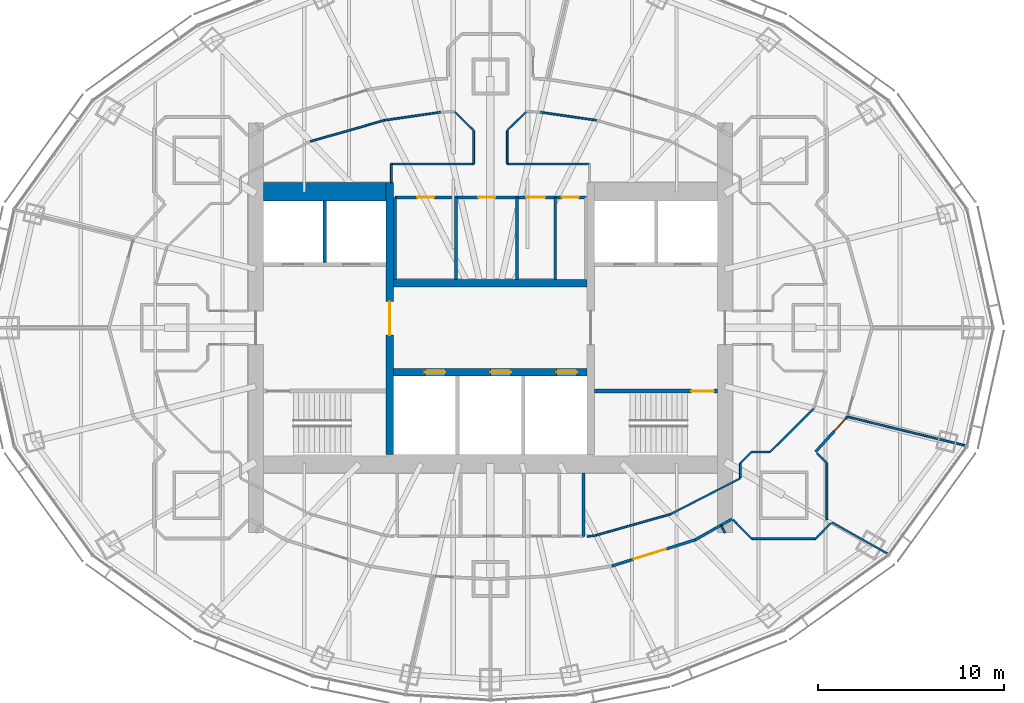
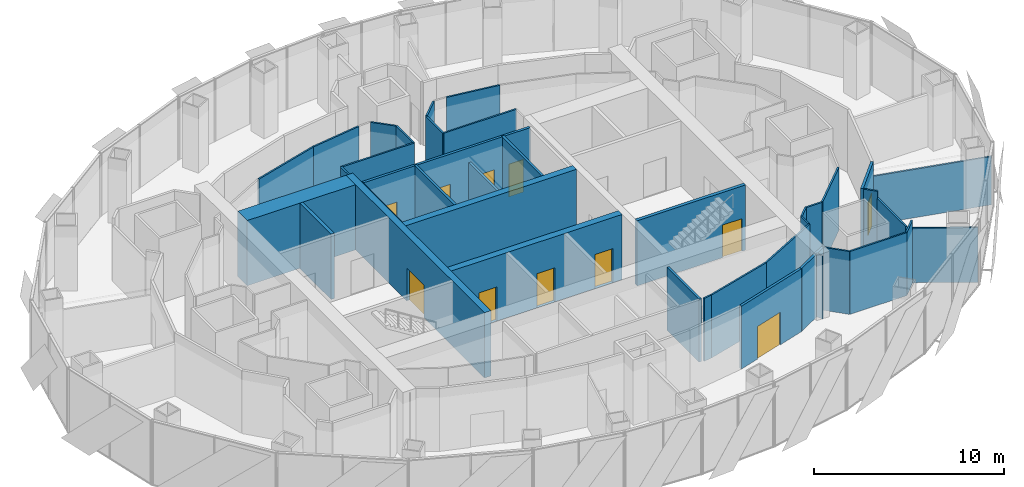
# One storey, part 13 of 18: 40 walls, 11 doors, 11 openings.
"""IFC4 building model written with IfcOpenShell, lengths in metres."""

from ifc_helpers import new_model, si_unit, direction, frame, frame_2d, origin, place, context, subcontext, project, spatial, rectangle, extrude, material, layer, layer_set, type_object, element, fill, save


model = new_model("IFC4")

# Units and contexts
model_context = context("Model", 3, precision=1e-05, world=origin(), true_north=direction((0.0, 1.0)))
body_context = subcontext(model_context, "Body", "Model", "MODEL_VIEW")
ifc_project = project(units=[si_unit("LENGTHUNIT", "METRE"), si_unit("AREAUNIT", "SQUARE_METRE"), si_unit("VOLUMEUNIT", "CUBIC_METRE"), si_unit("PLANEANGLEUNIT", "RADIAN"), si_unit("MASSUNIT", "GRAM", prefix="KILO")], contexts=[model_context])

# Site, building, storey
site_placement = place(None, origin())
site = spatial("IfcSite", under=ifc_project, at=site_placement, CompositionType="ELEMENT")
building_placement = place(site_placement, origin())
building = spatial("IfcBuilding", under=site, at=building_placement, Name="Lantaw Convention Tower", CompositionType="ELEMENT")
storey_placement = place(building_placement, frame((0.0, 0.0, 257.800048828125)))
storey = spatial("IfcBuildingStorey", under=building, at=storey_placement, Name="L60", CompositionType="ELEMENT", Elevation=257.800048828125)

# Wall
ifc_material_1 = material(Name="Concrete C60/75", Category="concrete")
ifc_layer_1 = layer(ifc_material_1, 1.0)
ifc_layer_set_1 = layer_set([ifc_layer_1], Name="Core wall 1000")
wall_type_1 = type_object("IfcWallType", Name="Core wall 1000", PredefinedType="SHEAR", material=ifc_layer_set_1)
wall_1_placement = place(storey_placement, frame((-5.60009765625, 7.300048828125, 0.0), z_axis=(0.0, 0.0, 1.0), x_axis=(-1.0, 0.0, 0.0)))
element("IfcWall", 1, at=wall_1_placement, inside=storey, type_object=wall_type_1, Name="Core wall NW", PredefinedType="SHEAR", context=body_context, shape_type="SweptSolid", body=[
    extrude(rectangle(XDim=6.599853515625, YDim=1.0, at=frame_2d((3.2998046875, 0.0))), origin(), (0.0, 0.0, 1.0), 4.199951171875),
])

# Wall, opening, door
ifc_layer_2 = layer(ifc_material_1, 0.199951171875)
ifc_layer_set_2 = layer_set([ifc_layer_2], Name="Core wall 200")
wall_type_2 = type_object("IfcWallType", Name="Core wall 200", PredefinedType="SHEAR", material=ifc_layer_set_2)
wall_2_placement = place(storey_placement, frame((5.60009765625, -3.39990234375, 0.0), z_axis=(0.0, 0.0, 1.0), x_axis=(1.0, 0.0, 0.0)))
wall_2 = element("IfcWall", 2, at=wall_2_placement, inside=storey, type_object=wall_type_2, Name="Core wall ES", PredefinedType="SHEAR", context=body_context, shape_type="SweptSolid", body=[
    extrude(rectangle(XDim=6.599853515625, YDim=0.199951171875, at=frame_2d((3.2998046875, 0.0))), origin(), (0.0, 0.0, 1.0), 4.199951171875),
])
opening_1_placement = place(wall_2_placement, frame((5.199951171875, 0.0, 0.0)))
opening_1 = element("IfcOpeningElement", 3, at=opening_1_placement, cuts=wall_2, Name="Opening L60.03", PredefinedType="OPENING", context=body_context, shape_type="SweptSolid", body=[
    extrude(rectangle(XDim=1.199951171875, YDim=2.10009765625, at=frame_2d((0.60009765625, 1.050048828125))), frame((0.0, 0.10986328125, 0.0), z_axis=(0.0, -1.0, 0.0), x_axis=(1.0, 0.0, 0.0)), (0.0, 0.0, 1.0), 0.219970703125),
])
ifc_material_2 = material(Name="Steel, fire rated", Category="steel")
door_type_1 = type_object("IfcDoorType", Name="Stair door FD90", OperationType="SINGLE_SWING_RIGHT", PredefinedType="DOOR", material=ifc_material_2)
door_1_placement = place(opening_1_placement, origin())
door_1 = element("IfcDoor", 4, at=door_1_placement, inside=storey, type_object=door_type_1, Name="Exit stair door", OperationType="SINGLE_SWING_RIGHT", OverallHeight=2.10009765625, OverallWidth=1.199951171875, PredefinedType="DOOR", context=body_context, shape_type="SweptSolid", body=[
    extrude(rectangle(XDim=1.199951171875, YDim=2.10009765625, at=frame_2d((0.60009765625, 1.050048828125))), frame((0.0, 0.02490234375, 0.0), z_axis=(0.0, -1.0, 0.0), x_axis=(1.0, 0.0, 0.0)), (0.0, 0.0, 1.0), 0.050048828125),
])
fill(opening_1, door_1)

ifc_layer_3 = layer(ifc_material_1, 0.39990234375)
ifc_layer_set_3 = layer_set([ifc_layer_3], Name="Core wall 400")
wall_type_3 = type_object("IfcWallType", Name="Core wall 400", PredefinedType="SHEAR", material=ifc_layer_set_3)
wall_3_placement = place(storey_placement, frame((-5.39990234375, 7.800048828125, 0.0), z_axis=(0.0, 0.0, 1.0), x_axis=(0.0, -1.0, 0.0)))
wall_3 = element("IfcWall", 5, at=wall_3_placement, inside=storey, type_object=wall_type_3, Name="Core wall XW", PredefinedType="SHEAR", context=body_context, shape_type="SweptSolid", body=[
    extrude(rectangle(XDim=14.60009765625, YDim=0.39990234375, at=frame_2d((7.300048828125, 0.0))), origin(), (0.0, 0.0, 1.0), 4.199951171875),
])
opening_2_placement = place(wall_3_placement, frame((6.39990234375, 0.0, 0.0)))
opening_2 = element("IfcOpeningElement", 6, at=opening_2_placement, cuts=wall_3, Name="Opening L60.02", PredefinedType="OPENING", context=body_context, shape_type="SweptSolid", body=[
    extrude(rectangle(XDim=1.800048828125, YDim=2.10009765625, at=frame_2d((0.89990234375, 1.050048828125))), frame((0.0, 0.2099609375, 0.0), z_axis=(0.0, -1.0, 0.0), x_axis=(1.0, 0.0, 0.0)), (0.0, 0.0, 1.0), 0.419921875),
])
door_type_2 = type_object("IfcDoorType", Name="Lobby double door FD90", OperationType="DOUBLE_DOOR_DOUBLE_SWING", PredefinedType="DOOR", material=ifc_material_2)
door_2_placement = place(opening_2_placement, origin())
door_2 = element("IfcDoor", 7, at=door_2_placement, inside=storey, type_object=door_type_2, Name="Lift lobby door", OperationType="DOUBLE_DOOR_DOUBLE_SWING", OverallHeight=2.10009765625, OverallWidth=1.800048828125, PredefinedType="DOOR", context=body_context, shape_type="SweptSolid", body=[
    extrude(rectangle(XDim=1.800048828125, YDim=2.10009765625, at=frame_2d((0.89990234375, 1.050048828125))), frame((0.0, 0.02490234375, 0.0), z_axis=(0.0, -1.0, 0.0), x_axis=(1.0, 0.0, 0.0)), (0.0, 0.0, 1.0), 0.050048828125),
])
fill(opening_2, door_2)

# Wall, openings, doors
wall_4_placement = place(storey_placement, frame((-5.199951171875, -2.39990234375, 0.0), z_axis=(0.0, 0.0, 1.0), x_axis=(1.0, 0.0, 0.0)))
wall_4 = element("IfcWall", 8, at=wall_4_placement, inside=storey, type_object=wall_type_3, Name="Core wall BS", PredefinedType="SHEAR", context=body_context, shape_type="SweptSolid", body=[
    extrude(rectangle(XDim=10.39990234375, YDim=0.39990234375, at=frame_2d((5.199951171875, 0.0))), origin(), (0.0, 0.0, 1.0), 4.199951171875),
])
opening_3_placement = place(wall_4_placement, frame((1.683349609375, 0.0, 0.0)))
opening_3 = element("IfcOpeningElement", 9, at=opening_3_placement, cuts=wall_4, Name="Opening L60.07", PredefinedType="OPENING", context=body_context, shape_type="SweptSolid", body=[
    extrude(rectangle(XDim=1.10009765625, YDim=2.199951171875, at=frame_2d((0.550048828125, 1.10009765625))), frame((0.0, 0.2099609375, 0.0), z_axis=(0.0, -1.0, 0.0), x_axis=(1.0, 0.0, 0.0)), (0.0, 0.0, 1.0), 0.419921875),
])
opening_4_placement = place(wall_4_placement, frame((5.216796875, 0.0, 0.0)))
opening_4 = element("IfcOpeningElement", 10, at=opening_4_placement, cuts=wall_4, Name="Opening L60.08", PredefinedType="OPENING", context=body_context, shape_type="SweptSolid", body=[
    extrude(rectangle(XDim=1.10009765625, YDim=2.199951171875, at=frame_2d((0.550048828125, 1.10009765625))), frame((0.0, 0.2099609375, 0.0), z_axis=(0.0, -1.0, 0.0), x_axis=(1.0, 0.0, 0.0)), (0.0, 0.0, 1.0), 0.419921875),
])
opening_5_placement = place(wall_4_placement, frame((8.75, 0.0, 0.0)))
opening_5 = element("IfcOpeningElement", 11, at=opening_5_placement, cuts=wall_4, Name="Opening L60.09", PredefinedType="OPENING", context=body_context, shape_type="SweptSolid", body=[
    extrude(rectangle(XDim=1.10009765625, YDim=2.199951171875, at=frame_2d((0.550048828125, 1.10009765625))), frame((0.0, 0.2099609375, 0.0), z_axis=(0.0, -1.0, 0.0), x_axis=(1.0, 0.0, 0.0)), (0.0, 0.0, 1.0), 0.419921875),
])
ifc_material_3 = material(Name="Stainless steel", Category="steel")
door_type_3 = type_object("IfcDoorType", Name="Lift landing door 1100", OperationType="DOUBLE_DOOR_SLIDING", PredefinedType="DOOR", material=ifc_material_3)
door_3_placement = place(opening_3_placement, origin())
door_3 = element("IfcDoor", 12, at=door_3_placement, inside=storey, type_object=door_type_3, Name="Lift landing door S1", OperationType="DOUBLE_DOOR_SLIDING", OverallHeight=2.199951171875, OverallWidth=1.10009765625, PredefinedType="DOOR", context=body_context, shape_type="SweptSolid", body=[
    extrude(rectangle(XDim=1.10009765625, YDim=2.199951171875, at=frame_2d((0.550048828125, 1.10009765625))), frame((0.0, 0.02490234375, 0.0), z_axis=(0.0, -1.0, 0.0), x_axis=(1.0, 0.0, 0.0)), (0.0, 0.0, 1.0), 0.050048828125),
])
fill(opening_3, door_3)
door_4_placement = place(opening_4_placement, origin())
door_4 = element("IfcDoor", 13, at=door_4_placement, inside=storey, type_object=door_type_3, Name="Lift landing door S2", OperationType="DOUBLE_DOOR_SLIDING", OverallHeight=2.199951171875, OverallWidth=1.10009765625, PredefinedType="DOOR", context=body_context, shape_type="SweptSolid", body=[
    extrude(rectangle(XDim=1.10009765625, YDim=2.199951171875, at=frame_2d((0.550048828125, 1.10009765625))), frame((0.0, 0.02490234375, 0.0), z_axis=(0.0, -1.0, 0.0), x_axis=(1.0, 0.0, 0.0)), (0.0, 0.0, 1.0), 0.050048828125),
])
fill(opening_4, door_4)
door_5_placement = place(opening_5_placement, origin())
door_5 = element("IfcDoor", 14, at=door_5_placement, inside=storey, type_object=door_type_3, Name="Lift landing door S3", OperationType="DOUBLE_DOOR_SLIDING", OverallHeight=2.199951171875, OverallWidth=1.10009765625, PredefinedType="DOOR", context=body_context, shape_type="SweptSolid", body=[
    extrude(rectangle(XDim=1.10009765625, YDim=2.199951171875, at=frame_2d((0.550048828125, 1.10009765625))), frame((0.0, 0.02490234375, 0.0), z_axis=(0.0, -1.0, 0.0), x_axis=(1.0, 0.0, 0.0)), (0.0, 0.0, 1.0), 0.050048828125),
])
fill(opening_5, door_5)

# Wall
wall_5_placement = place(storey_placement, frame((5.199951171875, 2.39990234375, 0.0), z_axis=(0.0, 0.0, 1.0), x_axis=(-1.0, 0.0, 0.0)))
element("IfcWall", 15, at=wall_5_placement, inside=storey, type_object=wall_type_3, Name="Core wall BN", PredefinedType="SHEAR", context=body_context, shape_type="SweptSolid", body=[
    extrude(rectangle(XDim=10.39990234375, YDim=0.39990234375, at=frame_2d((5.199951171875, 0.0))), origin(), (0.0, 0.0, 1.0), 4.199951171875),
])

# Wall, opening, door
ifc_material_4 = material(Name="Gypsum board on steel studs, fire rated", Category="steel")
ifc_layer_4 = layer(ifc_material_4, 0.14990234375)
ifc_layer_set_4 = layer_set([ifc_layer_4], Name="Corridor wall 150 EI 60")
wall_type_4 = type_object("IfcWallType", Name="Corridor wall 150 EI 60", PredefinedType="PARTITIONING", material=ifc_layer_set_4)
wall_6_placement = place(storey_placement, frame((6.521240234375, -12.798828125, 0.0), z_axis=(0.0, 0.0, 1.0), x_axis=(0.954031103669, 0.299707612903, 0.0)))
wall_6 = element("IfcWall", 16, at=wall_6_placement, inside=storey, type_object=wall_type_4, Name="Corridor wall 150", PredefinedType="PARTITIONING", context=body_context, shape_type="SweptSolid", body=[
    extrude(rectangle(XDim=4.6953125, YDim=0.14990234375, at=frame_2d((2.34765625, 0.0))), origin(), (0.0, 0.0, 1.0), 4.050048828125),
])
opening_6_placement = place(wall_6_placement, frame((1.2314453125, 0.0, 0.0)))
opening_6 = element("IfcOpeningElement", 17, at=opening_6_placement, cuts=wall_6, Name="Opening L60.32", PredefinedType="OPENING", context=body_context, shape_type="SweptSolid", body=[
    extrude(rectangle(XDim=1.800048828125, YDim=2.10009765625, at=frame_2d((0.89990234375, 1.050048828125))), frame((0.0, 0.0849609375, 0.0), z_axis=(0.0, -1.0, 0.0), x_axis=(1.0, 0.0, 0.0)), (0.0, 0.0, 1.0), 0.169921875),
])
door_type_4 = type_object("IfcDoorType", Name="Office double door 1800 FD30", OperationType="DOUBLE_DOOR_DOUBLE_SWING", PredefinedType="DOOR", material=ifc_material_2)
door_6_placement = place(opening_6_placement, origin())
door_6 = element("IfcDoor", 18, at=door_6_placement, inside=storey, type_object=door_type_4, Name="Tenant suite door", OperationType="DOUBLE_DOOR_DOUBLE_SWING", OverallHeight=2.10009765625, OverallWidth=1.800048828125, PredefinedType="DOOR", context=body_context, shape_type="SweptSolid", body=[
    extrude(rectangle(XDim=1.800048828125, YDim=2.10009765625, at=frame_2d((0.89990234375, 1.050048828125))), frame((0.0, 0.02490234375, 0.0), z_axis=(0.0, -1.0, 0.0), x_axis=(1.0, 0.0, 0.0)), (0.0, 0.0, 1.0), 0.050048828125),
])
fill(opening_6, door_6)

# Wall
wall_7_placement = place(storey_placement, frame((11.000732421875, -11.3916015625, 0.0), z_axis=(0.0, 0.0, 1.0), x_axis=(0.869722107117, 0.493541747366, 0.0)))
element("IfcWall", 19, at=wall_7_placement, inside=storey, type_object=wall_type_4, Name="Corridor wall 150", PredefinedType="PARTITIONING", context=body_context, shape_type="SweptSolid", body=[
    extrude(rectangle(XDim=2.26953125, YDim=0.14990234375, at=frame_2d((1.134765625, 0.0))), origin(), (0.0, 0.0, 1.0), 4.050048828125),
])

# Wall, opening, door
wall_8_placement = place(storey_placement, frame((17.462646484375, -6.6650390625, 0.0), z_axis=(0.0, 0.0, 1.0), x_axis=(0.671721890643, 0.74080341632, 0.0)))
wall_8 = element("IfcWall", 20, at=wall_8_placement, inside=storey, type_object=wall_type_4, Name="Corridor wall 150", PredefinedType="PARTITIONING", context=body_context, shape_type="SweptSolid", body=[
    extrude(rectangle(XDim=2.54443359375, YDim=0.14990234375, at=frame_2d((1.272216796875, 0.0))), origin(), (0.0, 0.0, 1.0), 4.050048828125),
])
opening_7_placement = place(wall_8_placement, frame((1.5, 0.0, 0.0)))
opening_7 = element("IfcOpeningElement", 21, at=opening_7_placement, cuts=wall_8, Name="Opening L60.33", PredefinedType="OPENING", context=body_context, shape_type="SweptSolid", body=[
    extrude(rectangle(XDim=0.89990234375, YDim=2.10009765625, at=frame_2d((0.449951171875, 1.050048828125))), frame((0.0, 0.0849609375, 0.0), z_axis=(0.0, -1.0, 0.0), x_axis=(1.0, 0.0, 0.0)), (0.0, 0.0, 1.0), 0.169921875),
])
door_type_5 = type_object("IfcDoorType", Name="Office door 900 FD30", OperationType="SINGLE_SWING_LEFT", PredefinedType="DOOR", material=ifc_material_2)
door_7_placement = place(opening_7_placement, origin())
door_7 = element("IfcDoor", 22, at=door_7_placement, inside=storey, type_object=door_type_5, Name="Meeting room door", OperationType="SINGLE_SWING_LEFT", OverallHeight=2.10009765625, OverallWidth=0.89990234375, PredefinedType="DOOR", context=body_context, shape_type="SweptSolid", body=[
    extrude(rectangle(XDim=0.89990234375, YDim=2.10009765625, at=frame_2d((0.449951171875, 1.050048828125))), frame((0.0, 0.02490234375, 0.0), z_axis=(0.0, -1.0, 0.0), x_axis=(1.0, 0.0, 0.0)), (0.0, 0.0, 1.0), 0.050048828125),
])
fill(opening_7, door_7)

# Walls
ifc_material_5 = material(Name="Gypsum board on steel studs, acoustic", Category="steel")
ifc_layer_5 = layer(ifc_material_5, 0.10009765625)
ifc_layer_set_5 = layer_set([ifc_layer_5], Name="Office partition 100")
wall_type_5 = type_object("IfcWallType", Name="Office partition 100", PredefinedType="PARTITIONING", material=ifc_layer_set_5)
wall_9_placement = place(storey_placement, frame((25.54296875, -6.33544921875, 0.0), z_axis=(0.0, 0.0, 1.0), x_axis=(-0.971467850621, 0.237171278215, 0.0)))
element("IfcWall", 23, at=wall_9_placement, inside=storey, type_object=wall_type_5, Name="Office partition 100", PredefinedType="PARTITIONING", context=body_context, shape_type="SweptSolid", body=[
    extrude(rectangle(XDim=6.55810546875, YDim=0.10009765625, at=frame_2d((3.279052734375, 0.0))), origin(), (0.0, 0.0, 1.0), 3.107666015625),
])
wall_10_placement = place(storey_placement, frame((9.67041015625, -10.01416015625, 0.0), z_axis=(0.0, 0.0, 1.0), x_axis=(-0.961973498971, -0.273142796496, 0.0)))
element("IfcWall", 24, at=wall_10_placement, inside=storey, type_object=wall_type_5, Name="Office partition 100", PredefinedType="PARTITIONING", context=body_context, shape_type="SweptSolid", body=[
    extrude(rectangle(XDim=4.148193359375, YDim=0.10009765625, at=frame_2d((2.07421875, 0.0))), origin(), (0.0, 0.0, 1.0), 4.050048828125),
])
wall_11_placement = place(storey_placement, frame((5.679931640625, -11.147216796875, 0.0), z_axis=(0.0, 0.0, 1.0), x_axis=(-0.989797891768, -0.142478536811, 0.0)))
element("IfcWall", 25, at=wall_11_placement, inside=storey, type_object=wall_type_5, Name="Office partition 100", PredefinedType="PARTITIONING", context=body_context, shape_type="SweptSolid", body=[
    extrude(rectangle(XDim=0.48486328125, YDim=0.10009765625, at=frame_2d((0.242431640625, 0.0))), origin(), (0.0, 0.0, 1.0), 4.050048828125),
])
wall_12_placement = place(storey_placement, frame((5.320068359375, 8.800048828125, 0.0), z_axis=(0.0, 0.0, 1.0), x_axis=(-1.0, 0.0, 0.0)))
element("IfcWall", 26, at=wall_12_placement, inside=storey, type_object=wall_type_5, Name="Office partition 100", PredefinedType="PARTITIONING", context=body_context, shape_type="SweptSolid", body=[
    extrude(rectangle(XDim=4.420166015625, YDim=0.10009765625, at=frame_2d((2.2099609375, 0.0))), origin(), (0.0, 0.0, 1.0), 4.050048828125),
])
wall_13_placement = place(storey_placement, frame((2.67333984375, 11.579833984375, 0.0), z_axis=(0.0, 0.0, 1.0), x_axis=(0.989805921373, -0.142422744025, 0.0)))
element("IfcWall", 27, at=wall_13_placement, inside=storey, type_object=wall_type_5, Name="Office partition 100", PredefinedType="PARTITIONING", context=body_context, shape_type="SweptSolid", body=[
    extrude(rectangle(XDim=3.03759765625, YDim=0.10009765625, at=frame_2d((1.518798828125, 0.0))), origin(), (0.0, 0.0, 1.0), 4.050048828125),
])
wall_14_placement = place(storey_placement, frame((-9.67041015625, 10.01416015625, 0.0), z_axis=(0.0, 0.0, 1.0), x_axis=(0.961973498971, 0.273142796496, 0.0)))
element("IfcWall", 28, at=wall_14_placement, inside=storey, type_object=wall_type_5, Name="Office partition 100", PredefinedType="PARTITIONING", context=body_context, shape_type="SweptSolid", body=[
    extrude(rectangle(XDim=4.148193359375, YDim=0.10009765625, at=frame_2d((2.07421875, 0.0))), origin(), (0.0, 0.0, 1.0), 4.050048828125),
])
wall_15_placement = place(storey_placement, frame((-5.679931640625, 11.147216796875, 0.0), z_axis=(0.0, 0.0, 1.0), x_axis=(0.989805921373, 0.142422744025, 0.0)))
element("IfcWall", 29, at=wall_15_placement, inside=storey, type_object=wall_type_5, Name="Office partition 100", PredefinedType="PARTITIONING", context=body_context, shape_type="SweptSolid", body=[
    extrude(rectangle(XDim=3.03759765625, YDim=0.10009765625, at=frame_2d((1.518798828125, 0.0))), origin(), (0.0, 0.0, 1.0), 4.050048828125),
])
wall_16_placement = place(storey_placement, frame((-0.89990234375, 8.800048828125, 0.0), z_axis=(0.0, 0.0, 1.0), x_axis=(-1.0, 0.0, 0.0)))
element("IfcWall", 30, at=wall_16_placement, inside=storey, type_object=wall_type_5, Name="Office partition 100", PredefinedType="PARTITIONING", context=body_context, shape_type="SweptSolid", body=[
    extrude(rectangle(XDim=4.420166015625, YDim=0.10009765625, at=frame_2d((2.2099609375, 0.0))), origin(), (0.0, 0.0, 1.0), 4.050048828125),
])
wall_17_placement = place(storey_placement, frame((-5.320068359375, 8.800048828125, 0.0), z_axis=(0.0, 0.0, 1.0), x_axis=(0.0, -1.0, 0.0)))
element("IfcWall", 31, at=wall_17_placement, inside=storey, type_object=wall_type_5, Name="Office partition 100", PredefinedType="PARTITIONING", context=body_context, shape_type="SweptSolid", body=[
    extrude(rectangle(XDim=1.0, YDim=0.10009765625, at=frame_2d((0.5, 0.0))), origin(), (0.0, 0.0, 1.0), 4.050048828125),
])
wall_18_placement = place(storey_placement, frame((12.60009765625, -11.0, 0.0), z_axis=(0.0, 0.0, 1.0), x_axis=(-0.493794495037, 0.869578631678, 0.0)))
element("IfcWall", 32, at=wall_18_placement, inside=storey, type_object=wall_type_5, Name="Office partition 100", PredefinedType="PARTITIONING", context=body_context, shape_type="SweptSolid", body=[
    extrude(rectangle(XDim=0.448974609375, YDim=0.10009765625, at=frame_2d((0.224609375, 0.0))), origin(), (0.0, 0.0, 1.0), 4.050048828125),
])
for number, where, z_axis, x_axis, name in (
    (33, (0.89990234375, 8.800048828125, 0.0), (0.0, 0.0, 1.0), (0.0, 1.0, 0.0), "Office partition 100"),
    (34, (-0.89990234375, 10.58544921875, 0.0), (0.0, 0.0, 1.0), (0.0, -1.0, 0.0), "Office partition 100"),
):
    element("IfcWall", number, at=place(storey_placement, frame(where, z_axis=z_axis, x_axis=x_axis)), inside=storey, type_object=wall_type_5, Name=name, PredefinedType="PARTITIONING", context=body_context, shape_type="SweptSolid", body=[
        extrude(rectangle(XDim=1.785400390625, YDim=0.10009765625, at=frame_2d((0.892578125, 0.0))), origin(), (0.0, 0.0, 1.0), 4.050048828125),
    ])
for number, where, z_axis, x_axis, name in (
    (35, (1.913330078125, 11.595947265625, 0.0), (0.0, 0.0, 1.0), (-0.71318945388, -0.70097132814, 0.0), "Office partition 100"),
    (36, (-0.915771484375, 10.615478515625, 0.0), (0.0, 0.0, 1.0), (-0.71318945388, 0.70097132814, 0.0), "Office partition 100"),
):
    element("IfcWall", number, at=place(storey_placement, frame(where, z_axis=z_axis, x_axis=x_axis)), inside=storey, type_object=wall_type_5, Name=name, PredefinedType="PARTITIONING", context=body_context, shape_type="SweptSolid", body=[
        extrude(rectangle(XDim=1.398681640625, YDim=0.10009765625, at=frame_2d((0.69921875, 0.0))), origin(), (0.0, 0.0, 1.0), 4.050048828125),
    ])
wall_19_placement = place(storey_placement, frame((21.3583984375, -12.149658203125, 0.0), z_axis=(0.0, 0.0, 1.0), x_axis=(-0.871730019583, 0.489986502832, 0.0)))
element("IfcWall", 37, at=wall_19_placement, inside=storey, type_object=wall_type_5, Name="Office partition 100", PredefinedType="PARTITIONING", context=body_context, shape_type="SweptSolid", body=[
    extrude(rectangle(XDim=3.4599609375, YDim=0.10009765625, at=frame_2d((1.72998046875, 0.0))), origin(), (0.0, 0.0, 1.0), 3.521728515625),
])
wall_20_placement = place(storey_placement, frame((17.37158203125, -4.331298828125, 0.0), z_axis=(0.0, 0.0, 1.0), x_axis=(-0.707587114823, -0.70662612104, 0.0)))
element("IfcWall", 38, at=wall_20_placement, inside=storey, type_object=wall_type_5, Name="Office partition 100", PredefinedType="PARTITIONING", context=body_context, shape_type="SweptSolid", body=[
    extrude(rectangle(XDim=3.302734375, YDim=0.10009765625, at=frame_2d((1.6513671875, 0.0))), origin(), (0.0, 0.0, 1.0), 4.050048828125),
])
wall_21_placement = place(storey_placement, frame((13.4150390625, -8.091796875, 0.0), z_axis=(0.0, 0.0, 1.0), x_axis=(-0.889620520549, -0.45670048108, 0.0)))
element("IfcWall", 39, at=wall_21_placement, inside=storey, type_object=wall_type_5, Name="Office partition 100", PredefinedType="PARTITIONING", context=body_context, shape_type="SweptSolid", body=[
    extrude(rectangle(XDim=4.209228515625, YDim=0.10009765625, at=frame_2d((2.1044921875, 0.0))), origin(), (0.0, 0.0, 1.0), 4.050048828125),
])
wall_22_placement = place(storey_placement, frame((13.425048828125, -8.045654296875, 0.0), z_axis=(0.0, 0.0, 1.0), x_axis=(0.0, 1.0, 0.0)))
element("IfcWall", 40, at=wall_22_placement, inside=storey, type_object=wall_type_5, Name="Office partition 100", PredefinedType="PARTITIONING", context=body_context, shape_type="SweptSolid", body=[
    extrude(rectangle(XDim=0.770263671875, YDim=0.10009765625, at=frame_2d((0.38525390625, 0.0))), origin(), (0.0, 0.0, 1.0), 4.050048828125),
])
wall_23_placement = place(storey_placement, frame((13.425048828125, -7.275390625, 0.0), z_axis=(0.0, 0.0, 1.0), x_axis=(0.707106781187, 0.707106781187, 0.0)))
element("IfcWall", 41, at=wall_23_placement, inside=storey, type_object=wall_type_5, Name="Office partition 100", PredefinedType="PARTITIONING", context=body_context, shape_type="SweptSolid", body=[
    extrude(rectangle(XDim=0.84912109375, YDim=0.10009765625, at=frame_2d((0.424560546875, 0.0))), origin(), (0.0, 0.0, 1.0), 4.050048828125),
])
wall_24_placement = place(storey_placement, frame((14.025390625, -6.675048828125, 0.0), z_axis=(0.0, 0.0, 1.0), x_axis=(1.0, 0.0, 0.0)))
element("IfcWall", 42, at=wall_24_placement, inside=storey, type_object=wall_type_5, Name="Office partition 100", PredefinedType="PARTITIONING", context=body_context, shape_type="SweptSolid", body=[
    extrude(rectangle(XDim=0.976806640625, YDim=0.10009765625, at=frame_2d((0.48828125, 0.0))), origin(), (0.0, 0.0, 1.0), 4.050048828125),
])
wall_25_placement = place(storey_placement, frame((18.2880859375, -10.49462890625, 0.0), z_axis=(0.0, 0.0, 1.0), x_axis=(-0.699823580681, -0.714315725659, 0.0)))
element("IfcWall", 43, at=wall_25_placement, inside=storey, type_object=wall_type_5, Name="Office partition 100", PredefinedType="PARTITIONING", context=body_context, shape_type="SweptSolid", body=[
    extrude(rectangle(XDim=1.162353515625, YDim=0.10009765625, at=frame_2d((0.5810546875, 0.0))), origin(), (0.0, 0.0, 1.0), 4.050048828125),
])
wall_26_placement = place(storey_placement, frame((17.474609375, -11.324951171875, 0.0), z_axis=(0.0, 0.0, 1.0), x_axis=(-1.0, 0.0, 0.0)))
element("IfcWall", 44, at=wall_26_placement, inside=storey, type_object=wall_type_5, Name="Office partition 100", PredefinedType="PARTITIONING", context=body_context, shape_type="SweptSolid", body=[
    extrude(rectangle(XDim=3.44921875, YDim=0.10009765625, at=frame_2d((1.724609375, 0.0))), origin(), (0.0, 0.0, 1.0), 4.050048828125),
])
wall_27_placement = place(storey_placement, frame((14.025390625, -11.324951171875, 0.0), z_axis=(0.0, 0.0, 1.0), x_axis=(-0.701113567316, 0.713049623606, 0.0)))
element("IfcWall", 45, at=wall_27_placement, inside=storey, type_object=wall_type_5, Name="Office partition 100", PredefinedType="PARTITIONING", context=body_context, shape_type="SweptSolid", body=[
    extrude(rectangle(XDim=1.411376953125, YDim=0.10009765625, at=frame_2d((0.70556640625, 0.0))), origin(), (0.0, 0.0, 1.0), 4.050048828125),
])
wall_28_placement = place(storey_placement, frame((17.537841796875, -6.73828125, 0.0), z_axis=(0.0, 0.0, 1.0), x_axis=(0.707106781187, -0.707106781187, 0.0)))
element("IfcWall", 46, at=wall_28_placement, inside=storey, type_object=wall_type_5, Name="Office partition 100", PredefinedType="PARTITIONING", context=body_context, shape_type="SweptSolid", body=[
    extrude(rectangle(XDim=0.759521484375, YDim=0.10009765625, at=frame_2d((0.3798828125, 0.0))), origin(), (0.0, 0.0, 1.0), 4.050048828125),
])
wall_29_placement = place(storey_placement, frame((18.074951171875, -7.275390625, 0.0), z_axis=(0.0, 0.0, 1.0), x_axis=(0.0, -1.0, 0.0)))
element("IfcWall", 47, at=wall_29_placement, inside=storey, type_object=wall_type_5, Name="Office partition 100", PredefinedType="PARTITIONING", context=body_context, shape_type="SweptSolid", body=[
    extrude(rectangle(XDim=3.02880859375, YDim=0.10009765625, at=frame_2d((1.514404296875, 0.0))), origin(), (0.0, 0.0, 1.0), 3.600341796875),
])
ifc_material_6 = material(Name="Concrete blockwork, fire rated", Category="masonry")
ifc_layer_6 = layer(ifc_material_6, 0.199951171875)
ifc_layer_set_6 = layer_set([ifc_layer_6], Name="Shaft wall 200")
wall_type_6 = type_object("IfcWallType", Name="Shaft wall 200", PredefinedType="SOLIDWALL", material=ifc_layer_set_6)
wall_30_placement = place(storey_placement, frame((-8.89990234375, 3.5, 0.0), z_axis=(0.0, 0.0, 1.0), x_axis=(0.0, 1.0, 0.0)))
element("IfcWall", 48, at=wall_30_placement, inside=storey, type_object=wall_type_6, Name="Shaft wall WD", PredefinedType="SOLIDWALL", context=body_context, shape_type="SweptSolid", body=[
    extrude(rectangle(XDim=3.300048828125, YDim=0.199951171875, at=frame_2d((1.64990234375, 0.0))), origin(), (0.0, 0.0, 1.0), 4.199951171875),
])

# Wall, openings, doors
ifc_material_7 = material(Name="Concrete blockwork", Category="masonry")
ifc_layer_7 = layer(ifc_material_7, 0.14990234375)
ifc_layer_set_7 = layer_set([ifc_layer_7], Name="WC wall 150")
wall_type_7 = type_object("IfcWallType", Name="WC wall 150", PredefinedType="SOLIDWALL", material=ifc_layer_set_7)
wall_31_placement = place(storey_placement, frame((-5.1201171875, 7.0, 0.0), z_axis=(0.0, 0.0, 1.0), x_axis=(1.0, 0.0, 0.0)))
wall_31 = element("IfcWall", 49, at=wall_31_placement, inside=storey, type_object=wall_type_7, Name="WC wall 150", PredefinedType="SOLIDWALL", context=body_context, shape_type="SweptSolid", body=[
    extrude(rectangle(XDim=10.240234375, YDim=0.14990234375, at=frame_2d((5.1201171875, 0.0))), origin(), (0.0, 0.0, 1.0), 4.050048828125),
])
opening_8_placement = place(wall_31_placement, frame((1.199951171875, 0.0, 0.0)))
opening_8 = element("IfcOpeningElement", 50, at=opening_8_placement, cuts=wall_31, Name="Opening L60.14", PredefinedType="OPENING", context=body_context, shape_type="SweptSolid", body=[
    extrude(rectangle(XDim=0.89990234375, YDim=2.10009765625, at=frame_2d((0.449951171875, 1.050048828125))), frame((0.0, 0.0849609375, 0.0), z_axis=(0.0, -1.0, 0.0), x_axis=(1.0, 0.0, 0.0)), (0.0, 0.0, 1.0), 0.169921875),
])
opening_9_placement = place(wall_31_placement, frame((4.476806640625, 0.0, 0.0)))
opening_9 = element("IfcOpeningElement", 51, at=opening_9_placement, cuts=wall_31, Name="Opening L60.15", PredefinedType="OPENING", context=body_context, shape_type="SweptSolid", body=[
    extrude(rectangle(XDim=0.89990234375, YDim=2.10009765625, at=frame_2d((0.449951171875, 1.050048828125))), frame((0.0, 0.0849609375, 0.0), z_axis=(0.0, -1.0, 0.0), x_axis=(1.0, 0.0, 0.0)), (0.0, 0.0, 1.0), 0.169921875),
])
opening_10_placement = place(wall_31_placement, frame((7.0537109375, 0.0, 0.0)))
opening_10 = element("IfcOpeningElement", 52, at=opening_10_placement, cuts=wall_31, Name="Opening L60.16", PredefinedType="OPENING", context=body_context, shape_type="SweptSolid", body=[
    extrude(rectangle(XDim=1.0, YDim=2.10009765625, at=frame_2d((0.5, 1.050048828125))), frame((0.0, 0.0849609375, 0.0), z_axis=(0.0, -1.0, 0.0), x_axis=(1.0, 0.0, 0.0)), (0.0, 0.0, 1.0), 0.169921875),
])
opening_11_placement = place(wall_31_placement, frame((8.95166015625, 0.0, 0.0)))
opening_11 = element("IfcOpeningElement", 53, at=opening_11_placement, cuts=wall_31, Name="Opening L60.17", PredefinedType="OPENING", context=body_context, shape_type="SweptSolid", body=[
    extrude(rectangle(XDim=0.89990234375, YDim=2.10009765625, at=frame_2d((0.449951171875, 1.050048828125))), frame((0.0, 0.0849609375, 0.0), z_axis=(0.0, -1.0, 0.0), x_axis=(1.0, 0.0, 0.0)), (0.0, 0.0, 1.0), 0.169921875),
])
ifc_material_8 = material(Name="Timber", Category="wood")
door_type_6 = type_object("IfcDoorType", Name="Accessible WC door 1000", OperationType="SINGLE_SWING_LEFT", PredefinedType="DOOR", material=ifc_material_8)
door_8_placement = place(opening_10_placement, origin())
door_8 = element("IfcDoor", 54, at=door_8_placement, inside=storey, type_object=door_type_6, Name="Accessible WC door", OperationType="SINGLE_SWING_LEFT", OverallHeight=2.10009765625, OverallWidth=1.0, PredefinedType="DOOR", context=body_context, shape_type="SweptSolid", body=[
    extrude(rectangle(XDim=1.0, YDim=2.10009765625, at=frame_2d((0.5, 1.050048828125))), frame((0.0, 0.02490234375, 0.0), z_axis=(0.0, -1.0, 0.0), x_axis=(1.0, 0.0, 0.0)), (0.0, 0.0, 1.0), 0.050048828125),
])
fill(opening_10, door_8)
door_type_7 = type_object("IfcDoorType", Name="WC door 900", OperationType="SINGLE_SWING_LEFT", PredefinedType="DOOR", material=ifc_material_8)
door_9_placement = place(opening_8_placement, origin())
door_9 = element("IfcDoor", 55, at=door_9_placement, inside=storey, type_object=door_type_7, Name="Male WC door", OperationType="SINGLE_SWING_LEFT", OverallHeight=2.10009765625, OverallWidth=0.89990234375, PredefinedType="DOOR", context=body_context, shape_type="SweptSolid", body=[
    extrude(rectangle(XDim=0.89990234375, YDim=2.10009765625, at=frame_2d((0.449951171875, 1.050048828125))), frame((0.0, 0.02490234375, 0.0), z_axis=(0.0, -1.0, 0.0), x_axis=(1.0, 0.0, 0.0)), (0.0, 0.0, 1.0), 0.050048828125),
])
fill(opening_8, door_9)
door_10_placement = place(opening_9_placement, origin())
door_10 = element("IfcDoor", 56, at=door_10_placement, inside=storey, type_object=door_type_7, Name="Female WC door", OperationType="SINGLE_SWING_LEFT", OverallHeight=2.10009765625, OverallWidth=0.89990234375, PredefinedType="DOOR", context=body_context, shape_type="SweptSolid", body=[
    extrude(rectangle(XDim=0.89990234375, YDim=2.10009765625, at=frame_2d((0.449951171875, 1.050048828125))), frame((0.0, 0.02490234375, 0.0), z_axis=(0.0, -1.0, 0.0), x_axis=(1.0, 0.0, 0.0)), (0.0, 0.0, 1.0), 0.050048828125),
])
fill(opening_9, door_10)
door_11_placement = place(opening_11_placement, origin())
door_11 = element("IfcDoor", 57, at=door_11_placement, inside=storey, type_object=door_type_7, Name="Cleaner's store door", OperationType="SINGLE_SWING_LEFT", OverallHeight=2.10009765625, OverallWidth=0.89990234375, PredefinedType="DOOR", context=body_context, shape_type="SweptSolid", body=[
    extrude(rectangle(XDim=0.89990234375, YDim=2.10009765625, at=frame_2d((0.449951171875, 1.050048828125))), frame((0.0, 0.02490234375, 0.0), z_axis=(0.0, -1.0, 0.0), x_axis=(1.0, 0.0, 0.0)), (0.0, 0.0, 1.0), 0.050048828125),
])
fill(opening_11, door_11)

# Walls
for number, where, z_axis, x_axis, name in (
    (58, (-5.1201171875, 2.60009765625, 0.0), (0.0, 0.0, 1.0), (0.0, 1.0, 0.0), "WC wall 150"),
    (59, (-1.84326171875, 2.60009765625, 0.0), (0.0, 0.0, 1.0), (0.0, 1.0, 0.0), "WC wall 150"),
):
    element("IfcWall", number, at=place(storey_placement, frame(where, z_axis=z_axis, x_axis=x_axis)), inside=storey, type_object=wall_type_7, Name=name, PredefinedType="SOLIDWALL", context=body_context, shape_type="SweptSolid", body=[
        extrude(rectangle(XDim=4.39990234375, YDim=0.14990234375, at=frame_2d((2.199951171875, 0.0))), origin(), (0.0, 0.0, 1.0), 4.050048828125),
    ])
wall_32_placement = place(storey_placement, frame((1.43359375, 2.60009765625, 0.0), z_axis=(0.0, 0.0, 1.0), x_axis=(0.0, 1.0, 0.0)))
element("IfcWall", 60, at=wall_32_placement, inside=storey, type_object=wall_type_7, Name="WC wall 150", PredefinedType="SOLIDWALL", context=body_context, shape_type="SweptSolid", body=[
    extrude(rectangle(XDim=4.39990234375, YDim=0.14990234375, at=frame_2d((2.199951171875, 0.0))), origin(), (0.0, 0.0, 1.0), 3.107666015625),
])
wall_33_placement = place(storey_placement, frame((3.481689453125, 2.60009765625, 0.0), z_axis=(0.0, 0.0, 1.0), x_axis=(0.0, 1.0, 0.0)))
element("IfcWall", 61, at=wall_33_placement, inside=storey, type_object=wall_type_7, Name="WC wall 150", PredefinedType="SOLIDWALL", context=body_context, shape_type="SweptSolid", body=[
    extrude(rectangle(XDim=4.39990234375, YDim=0.14990234375, at=frame_2d((2.199951171875, 0.0))), origin(), (0.0, 0.0, 1.0), 4.050048828125),
])
wall_34_placement = place(storey_placement, frame((5.0, -7.800048828125, 0.0), z_axis=(0.0, 0.0, 1.0), x_axis=(0.0, -1.0, 0.0)))
element("IfcWall", 62, at=wall_34_placement, inside=storey, type_object=wall_type_7, Name="WC wall 150", PredefinedType="SOLIDWALL", context=body_context, shape_type="SweptSolid", body=[
    extrude(rectangle(XDim=3.39990234375, YDim=0.14990234375, at=frame_2d((1.699951171875, 0.0))), origin(), (0.0, 0.0, 1.0), 4.050048828125),
])

save(model, "model.ifc")
